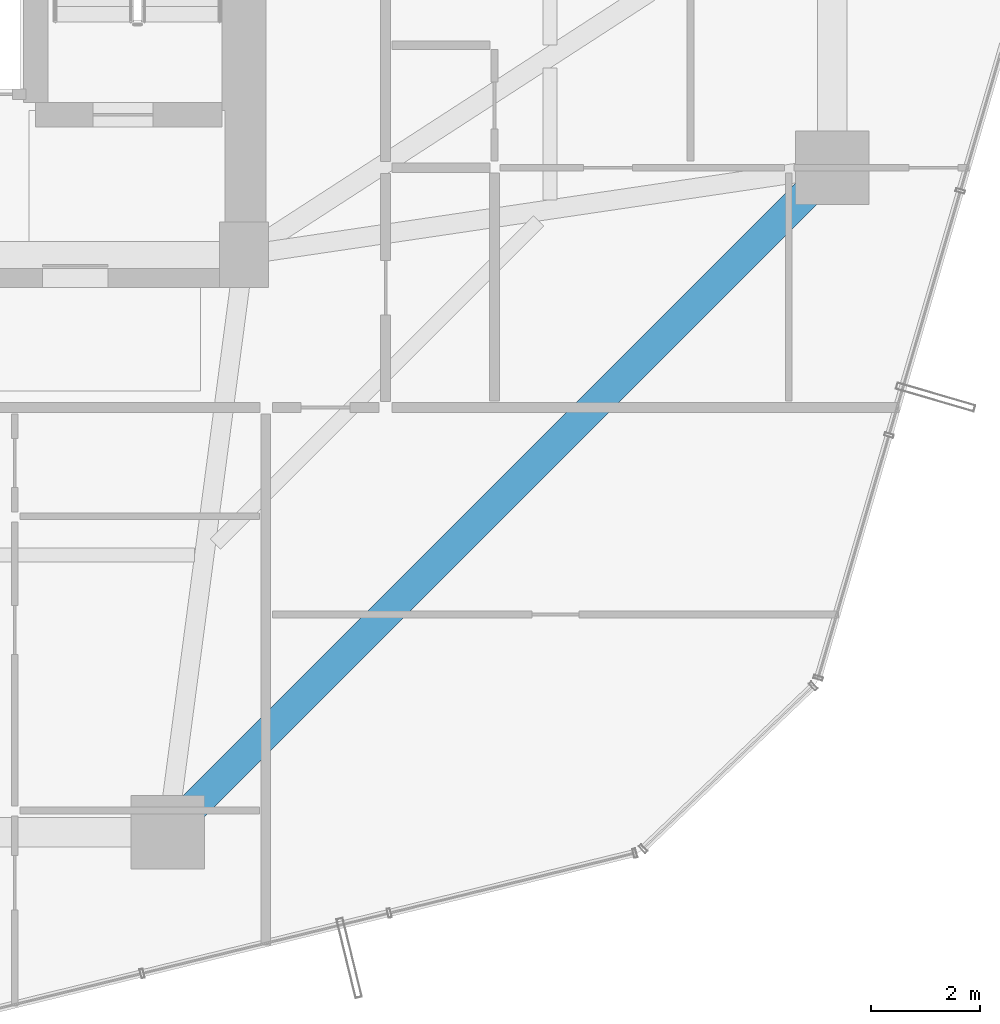
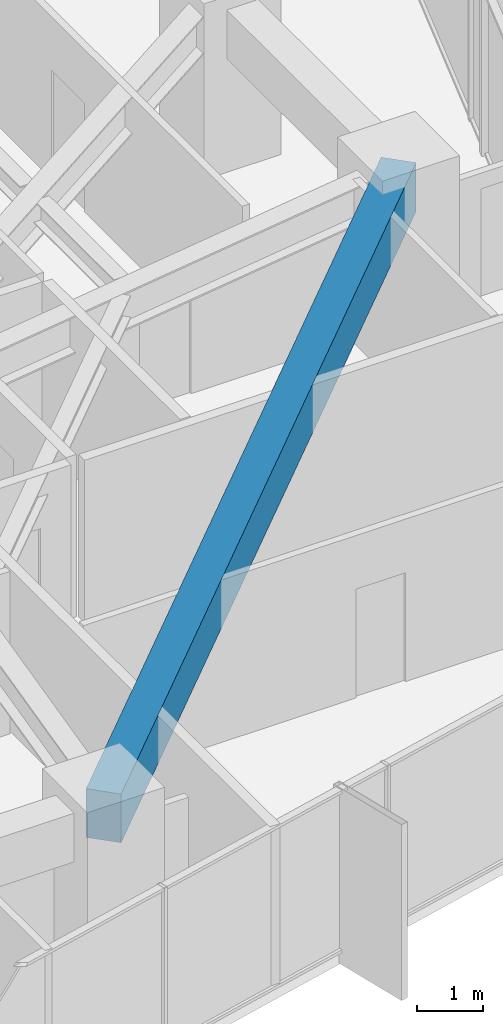
# One storey, part 13 of 37: 1 beam.
"""IFC4 building model written with IfcOpenShell, lengths in metres."""

from ifc_helpers import new_model, si_unit, direction, frame, origin, origin_2d, place, context, subcontext, project, spatial, rectangle, extrude, material, material_profile, profile_set, type_object, element, save


model = new_model("IFC4")

# Units and contexts
model_context = context("Model", 3, precision=1e-05, world=origin(), true_north=direction((0.0, 1.0)))
body_context = subcontext(model_context, "Body", "Model", "MODEL_VIEW")
ifc_project = project(units=[si_unit("LENGTHUNIT", "METRE"), si_unit("AREAUNIT", "SQUARE_METRE"), si_unit("VOLUMEUNIT", "CUBIC_METRE"), si_unit("PLANEANGLEUNIT", "RADIAN"), si_unit("MASSUNIT", "GRAM", prefix="KILO")], contexts=[model_context])

# Site, building, storey
site_placement = place(None, origin())
site = spatial("IfcSite", under=ifc_project, at=site_placement, CompositionType="ELEMENT")
building_placement = place(site_placement, origin())
building = spatial("IfcBuilding", under=site, at=building_placement, Name="Veraguas Prism Commons", CompositionType="ELEMENT")
storey_placement = place(building_placement, frame((0.0, 0.0, 70.60009765625)))
storey = spatial("IfcBuildingStorey", under=building, at=storey_placement, Name="L19", CompositionType="ELEMENT", Elevation=70.60009765625)

# Beam
ifc_material = material(Name="Concrete C50/60", Category="concrete")
ifc_material_profile = material_profile(ifc_material, rectangle(XDim=0.550048828125, YDim=0.89990234375, at=origin_2d()), Name="RC550X900")
ifc_profile_set = profile_set([ifc_material_profile], Name="Concrete C50/60")
beam_type = type_object("IfcBeamType", Name="Perimeter Spandrel Lower RC 550x900", PredefinedType="SPANDREL", material=ifc_profile_set)
beam_placement = place(storey_placement, frame((29.39990234375, 6.39990234375, 2.5498046875), z_axis=(0.707106781187, 0.707106781187, 0.0), x_axis=(-0.707106781187, 0.707106781187, 0.0)))
element("IfcBeam", 1, at=beam_placement, inside=storey, type_object=beam_type, Name="Perimeter Spandrel Beam L19-SP12", PredefinedType="SPANDREL", context=body_context, shape_type="SweptSolid", body=[
    extrude(rectangle(XDim=0.550048828125, YDim=0.89990234375, at=origin_2d()), origin(), (0.0, 0.0, 1.0), 17.253662109375),
])

save(model, "model.ifc")
